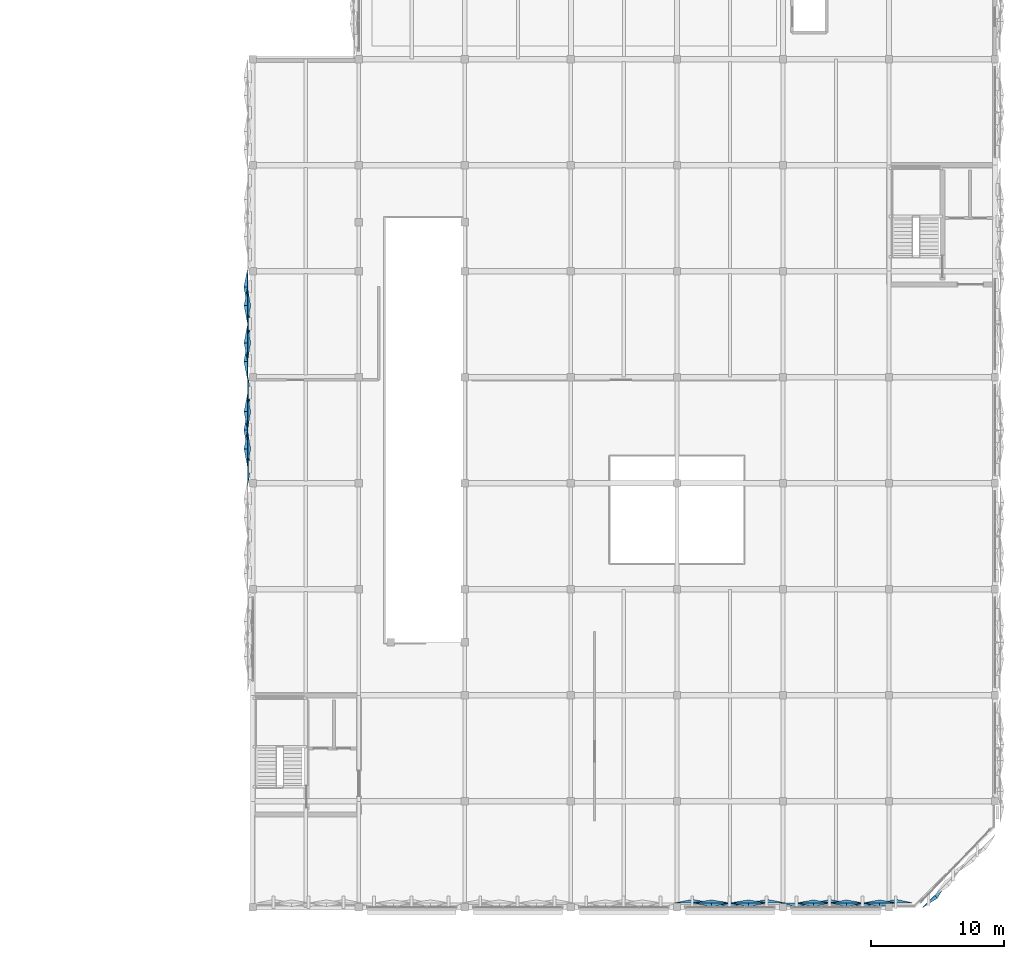
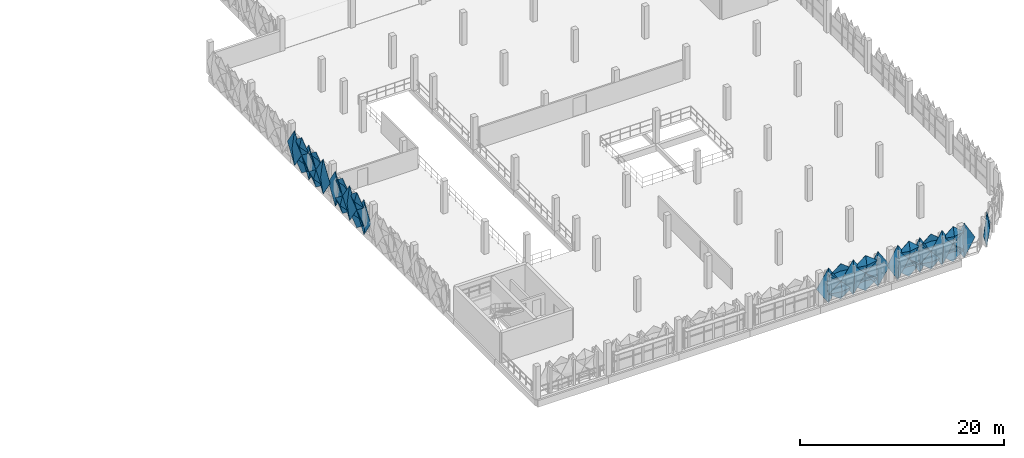
# One storey, part 59 of 83: 32 plates.
"""IFC4 building model written with IfcOpenShell, lengths in metres."""

from ifc_helpers import new_model, si_unit, derived_unit, direction, frame, origin, place, context, subcontext, project, spatial, polygons, material, layer, layer_set, type_object, element, save


model = new_model("IFC4")

# Units and contexts
model_context = context("Model", 3, precision=1e-05, world=origin(), true_north=direction((0.0, 1.0)))
body_context = subcontext(model_context, "Body", "Model", "MODEL_VIEW")
ifc_project = project(units=[si_unit("LENGTHUNIT", "METRE"), si_unit("AREAUNIT", "SQUARE_METRE"), si_unit("VOLUMEUNIT", "CUBIC_METRE"), si_unit("PLANEANGLEUNIT", "RADIAN"), si_unit("MASSUNIT", "GRAM", prefix="KILO"), si_unit("THERMODYNAMICTEMPERATUREUNIT", "KELVIN"), derived_unit("THERMALTRANSMITTANCEUNIT", [(si_unit("POWERUNIT", "WATT"), 1), (si_unit("AREAUNIT", "SQUARE_METRE"), -1), (si_unit("THERMODYNAMICTEMPERATUREUNIT", "KELVIN"), -1)])], contexts=[model_context])

# Site, building, storey
site_placement = place(None, origin())
site = spatial("IfcSite", under=ifc_project, at=site_placement, CompositionType="ELEMENT")
building_placement = place(site_placement, origin())
building = spatial("IfcBuilding", under=site, at=building_placement, Name="Haiyu Intermodal Mobility Hub", CompositionType="ELEMENT")
storey_placement = place(building_placement, frame((0.0, 0.0, 13.39990234375)))
storey = spatial("IfcBuildingStorey", under=building, at=storey_placement, Name="L03", CompositionType="ELEMENT", Elevation=13.39990234375)

# Plates
ifc_material = material(Name="Anodised aluminium 6063-T6", Category="aluminium")
ifc_layer_1 = layer(ifc_material, 0.01806640625)
ifc_layer_set_1 = layer_set([ifc_layer_1], Name="Anodised aluminium 6063-T6")
plate_type_1 = type_object("IfcPlateType", Name="PLT-FC01", PredefinedType="USERDEFINED", material=ifc_layer_set_1)
plate_1_placement = place(storey_placement, origin())
element("IfcPlate", 1, at=plate_1_placement, inside=storey, type_object=plate_type_1, Name="PLT-PYR-1768", ObjectType="FACADE CASSETTE", PredefinedType="USERDEFINED", context=body_context, shape_type="Tessellation", body=[
    polygons([(190.0, 16.320068359375, -0.510009765625), (191.3798828125, 16.320068359375, 1.60009765625), (190.0, 16.320068359375, 3.710205078125), (188.6201171875, 16.320068359375, 1.60009765625), (190.0, 16.0400390625, 1.60009765625), (190.0, 16.342041015625, -0.510009765625), (191.3798828125, 16.342041015625, 1.60009765625), (190.0, 16.342041015625, 3.710205078125), (188.6201171875, 16.342041015625, 1.60009765625), (190.0, 16.06201171875, 1.60009765625)], [[[1, 2, 5]], [[2, 3, 5]], [[3, 4, 5]], [[4, 1, 5]], [[7, 6, 10]], [[8, 7, 10]], [[9, 8, 10]], [[6, 9, 10]], [[1, 6, 7, 2]], [[2, 7, 8, 3]], [[3, 8, 9, 4]], [[4, 9, 6, 1]]], closed=True),
])
plate_2_placement = place(storey_placement, origin())
element("IfcPlate", 2, at=plate_2_placement, inside=storey, type_object=plate_type_1, Name="PLT-PYR-1770", ObjectType="FACADE CASSETTE", PredefinedType="USERDEFINED", context=body_context, shape_type="Tessellation", body=[
    polygons([(191.39990234375, 16.320068359375, 1.6201171875), (192.780029296875, 16.320068359375, 2.670166015625), (191.39990234375, 16.320068359375, 3.72021484375), (190.02001953125, 16.320068359375, 2.670166015625), (191.39990234375, 16.06005859375, 2.670166015625), (191.39990234375, 16.342041015625, 1.6201171875), (192.780029296875, 16.342041015625, 2.670166015625), (191.39990234375, 16.342041015625, 3.72021484375), (190.02001953125, 16.342041015625, 2.670166015625), (191.39990234375, 16.08203125, 2.670166015625)], [[[1, 2, 5]], [[2, 3, 5]], [[3, 4, 5]], [[4, 1, 5]], [[7, 6, 10]], [[8, 7, 10]], [[9, 8, 10]], [[6, 9, 10]], [[1, 6, 7, 2]], [[2, 7, 8, 3]], [[3, 8, 9, 4]], [[4, 9, 6, 1]]], closed=True),
])
plate_3_placement = place(storey_placement, origin())
element("IfcPlate", 3, at=plate_3_placement, inside=storey, type_object=plate_type_1, Name="PLT-PYR-1774", ObjectType="FACADE CASSETTE", PredefinedType="USERDEFINED", context=body_context, shape_type="Tessellation", body=[
    polygons([(196.300048828125, 16.320068359375, 1.6201171875), (197.530029296875, 16.320068359375, 2.670166015625), (196.300048828125, 16.320068359375, 3.72021484375), (195.070068359375, 16.320068359375, 2.670166015625), (196.300048828125, 16.06005859375, 2.670166015625), (196.300048828125, 16.342041015625, 1.6201171875), (197.530029296875, 16.342041015625, 2.670166015625), (196.300048828125, 16.342041015625, 3.72021484375), (195.070068359375, 16.342041015625, 2.670166015625), (196.300048828125, 16.08203125, 2.670166015625)], [[[1, 2, 5]], [[2, 3, 5]], [[3, 4, 5]], [[4, 1, 5]], [[7, 6, 10]], [[8, 7, 10]], [[9, 8, 10]], [[6, 9, 10]], [[1, 6, 7, 2]], [[2, 7, 8, 3]], [[3, 8, 9, 4]], [[4, 9, 6, 1]]], closed=True),
])
plate_4_placement = place(storey_placement, origin())
element("IfcPlate", 4, at=plate_4_placement, inside=storey, type_object=plate_type_1, Name="PLT-PYR-1780", ObjectType="FACADE CASSETTE", PredefinedType="USERDEFINED", context=body_context, shape_type="Tessellation", body=[
    polygons([(201.300048828125, 16.320068359375, 1.6201171875), (202.530029296875, 16.320068359375, 2.670166015625), (201.300048828125, 16.320068359375, 3.72021484375), (200.070068359375, 16.320068359375, 2.670166015625), (201.300048828125, 16.06005859375, 2.670166015625), (201.300048828125, 16.342041015625, 1.6201171875), (202.530029296875, 16.342041015625, 2.670166015625), (201.300048828125, 16.342041015625, 3.72021484375), (200.070068359375, 16.342041015625, 2.670166015625), (201.300048828125, 16.08203125, 2.670166015625)], [[[1, 2, 5]], [[2, 3, 5]], [[3, 4, 5]], [[4, 1, 5]], [[7, 6, 10]], [[8, 7, 10]], [[9, 8, 10]], [[6, 9, 10]], [[1, 6, 7, 2]], [[2, 7, 8, 3]], [[3, 8, 9, 4]], [[4, 9, 6, 1]]], closed=True),
])
plate_5_placement = place(storey_placement, origin())
element("IfcPlate", 5, at=plate_5_placement, inside=storey, type_object=plate_type_1, Name="PLT-PYR-1841", ObjectType="FACADE CASSETTE", PredefinedType="USERDEFINED", context=body_context, shape_type="Tessellation", body=[
    polygons([(153.60009765625, 52.0, -0.510009765625), (153.60009765625, 50.6201171875, 1.60009765625), (153.60009765625, 52.0, 3.710205078125), (153.60009765625, 53.3798828125, 1.60009765625), (153.320068359375, 52.0, 1.60009765625), (153.6220703125, 52.0, -0.510009765625), (153.6220703125, 50.6201171875, 1.60009765625), (153.6220703125, 52.0, 3.710205078125), (153.6220703125, 53.3798828125, 1.60009765625), (153.342041015625, 52.0, 1.60009765625)], [[[1, 2, 5]], [[2, 3, 5]], [[3, 4, 5]], [[4, 1, 5]], [[7, 6, 10]], [[8, 7, 10]], [[9, 8, 10]], [[6, 9, 10]], [[1, 6, 7, 2]], [[2, 7, 8, 3]], [[3, 8, 9, 4]], [[4, 9, 6, 1]]], closed=True),
])
plate_6_placement = place(storey_placement, origin())
element("IfcPlate", 6, at=plate_6_placement, inside=storey, type_object=plate_type_1, Name="PLT-PYR-1843", ObjectType="FACADE CASSETTE", PredefinedType="USERDEFINED", context=body_context, shape_type="Tessellation", body=[
    polygons([(153.60009765625, 50.60009765625, 1.6201171875), (153.60009765625, 49.219970703125, 2.670166015625), (153.60009765625, 50.60009765625, 3.72021484375), (153.60009765625, 51.97998046875, 2.670166015625), (153.340087890625, 50.60009765625, 2.670166015625), (153.6220703125, 50.60009765625, 1.6201171875), (153.6220703125, 49.219970703125, 2.670166015625), (153.6220703125, 50.60009765625, 3.72021484375), (153.6220703125, 51.97998046875, 2.670166015625), (153.362060546875, 50.60009765625, 2.670166015625)], [[[1, 2, 5]], [[2, 3, 5]], [[3, 4, 5]], [[4, 1, 5]], [[7, 6, 10]], [[8, 7, 10]], [[9, 8, 10]], [[6, 9, 10]], [[1, 6, 7, 2]], [[2, 7, 8, 3]], [[3, 8, 9, 4]], [[4, 9, 6, 1]]], closed=True),
])
plate_7_placement = place(storey_placement, origin())
element("IfcPlate", 7, at=plate_7_placement, inside=storey, type_object=plate_type_1, Name="PLT-PYR-1847", ObjectType="FACADE CASSETTE", PredefinedType="USERDEFINED", context=body_context, shape_type="Tessellation", body=[
    polygons([(153.60009765625, 61.39990234375, 1.6201171875), (153.60009765625, 60.02001953125, 2.670166015625), (153.60009765625, 61.39990234375, 3.72021484375), (153.60009765625, 62.780029296875, 2.670166015625), (153.340087890625, 61.39990234375, 2.670166015625), (153.6220703125, 61.39990234375, 1.6201171875), (153.6220703125, 60.02001953125, 2.670166015625), (153.6220703125, 61.39990234375, 3.72021484375), (153.6220703125, 62.780029296875, 2.670166015625), (153.362060546875, 61.39990234375, 2.670166015625)], [[[1, 2, 5]], [[2, 3, 5]], [[3, 4, 5]], [[4, 1, 5]], [[7, 6, 10]], [[8, 7, 10]], [[9, 8, 10]], [[6, 9, 10]], [[1, 6, 7, 2]], [[2, 7, 8, 3]], [[3, 8, 9, 4]], [[4, 9, 6, 1]]], closed=True),
])
ifc_layer_2 = layer(ifc_material, 0.02001953125)
ifc_layer_set_2 = layer_set([ifc_layer_2], Name="Anodised aluminium 6063-T6")
plate_type_2 = type_object("IfcPlateType", Name="PLT-FC02", PredefinedType="USERDEFINED", material=ifc_layer_set_2)
plate_8_placement = place(storey_placement, origin())
element("IfcPlate", 8, at=plate_8_placement, inside=storey, type_object=plate_type_2, Name="PLT-PYR-1767", ObjectType="FACADE CASSETTE", PredefinedType="USERDEFINED", context=body_context, shape_type="Tessellation", body=[
    polygons([(188.60009765625, 16.320068359375, 1.6201171875), (189.97998046875, 16.320068359375, 2.670166015625), (188.60009765625, 16.320068359375, 3.72021484375), (187.219970703125, 16.320068359375, 2.670166015625), (188.60009765625, 16.5400390625, 2.670166015625), (188.60009765625, 16.342041015625, 1.6201171875), (189.97998046875, 16.342041015625, 2.670166015625), (188.60009765625, 16.342041015625, 3.72021484375), (187.219970703125, 16.342041015625, 2.670166015625), (188.60009765625, 16.56201171875, 2.670166015625)], [[[1, 2, 5]], [[2, 3, 5]], [[3, 4, 5]], [[4, 1, 5]], [[7, 6, 10]], [[8, 7, 10]], [[9, 8, 10]], [[6, 9, 10]], [[1, 6, 7, 2]], [[2, 7, 8, 3]], [[3, 8, 9, 4]], [[4, 9, 6, 1]]], closed=True),
])
plate_9_placement = place(storey_placement, origin())
element("IfcPlate", 9, at=plate_9_placement, inside=storey, type_object=plate_type_2, Name="PLT-PYR-1775", ObjectType="FACADE CASSETTE", PredefinedType="USERDEFINED", context=body_context, shape_type="Tessellation", body=[
    polygons([(197.550048828125, 16.320068359375, -0.510009765625), (198.780029296875, 16.320068359375, 1.60009765625), (197.550048828125, 16.320068359375, 3.710205078125), (196.320068359375, 16.320068359375, 1.60009765625), (197.550048828125, 16.580078125, 1.60009765625), (197.550048828125, 16.342041015625, -0.510009765625), (198.780029296875, 16.342041015625, 1.60009765625), (197.550048828125, 16.342041015625, 3.710205078125), (196.320068359375, 16.342041015625, 1.60009765625), (197.550048828125, 16.60205078125, 1.60009765625)], [[[1, 2, 5]], [[2, 3, 5]], [[3, 4, 5]], [[4, 1, 5]], [[7, 6, 10]], [[8, 7, 10]], [[9, 8, 10]], [[6, 9, 10]], [[1, 6, 7, 2]], [[2, 7, 8, 3]], [[3, 8, 9, 4]], [[4, 9, 6, 1]]], closed=True),
])
plate_10_placement = place(storey_placement, origin())
element("IfcPlate", 10, at=plate_10_placement, inside=storey, type_object=plate_type_2, Name="PLT-PYR-1777", ObjectType="FACADE CASSETTE", PredefinedType="USERDEFINED", context=body_context, shape_type="Tessellation", body=[
    polygons([(198.800048828125, 16.320068359375, 1.6201171875), (200.030029296875, 16.320068359375, 2.670166015625), (198.800048828125, 16.320068359375, 3.72021484375), (197.570068359375, 16.320068359375, 2.670166015625), (198.800048828125, 16.5400390625, 2.670166015625), (198.800048828125, 16.342041015625, 1.6201171875), (200.030029296875, 16.342041015625, 2.670166015625), (198.800048828125, 16.342041015625, 3.72021484375), (197.570068359375, 16.342041015625, 2.670166015625), (198.800048828125, 16.56201171875, 2.670166015625)], [[[1, 2, 5]], [[2, 3, 5]], [[3, 4, 5]], [[4, 1, 5]], [[7, 6, 10]], [[8, 7, 10]], [[9, 8, 10]], [[6, 9, 10]], [[1, 6, 7, 2]], [[2, 7, 8, 3]], [[3, 8, 9, 4]], [[4, 9, 6, 1]]], closed=True),
])
plate_11_placement = place(storey_placement, origin())
element("IfcPlate", 11, at=plate_11_placement, inside=storey, type_object=plate_type_2, Name="PLT-PYR-1840", ObjectType="FACADE CASSETTE", PredefinedType="USERDEFINED", context=body_context, shape_type="Tessellation", body=[
    polygons([(153.60009765625, 53.39990234375, 1.6201171875), (153.60009765625, 52.02001953125, 2.670166015625), (153.60009765625, 53.39990234375, 3.72021484375), (153.60009765625, 54.780029296875, 2.670166015625), (153.820068359375, 53.39990234375, 2.670166015625), (153.6220703125, 53.39990234375, 1.6201171875), (153.6220703125, 52.02001953125, 2.670166015625), (153.6220703125, 53.39990234375, 3.72021484375), (153.6220703125, 54.780029296875, 2.670166015625), (153.842041015625, 53.39990234375, 2.670166015625)], [[[1, 2, 5]], [[2, 3, 5]], [[3, 4, 5]], [[4, 1, 5]], [[7, 6, 10]], [[8, 7, 10]], [[9, 8, 10]], [[6, 9, 10]], [[1, 6, 7, 2]], [[2, 7, 8, 3]], [[3, 8, 9, 4]], [[4, 9, 6, 1]]], closed=True),
])
plate_12_placement = place(storey_placement, origin())
element("IfcPlate", 12, at=plate_12_placement, inside=storey, type_object=plate_type_2, Name="PLT-PYR-1848", ObjectType="FACADE CASSETTE", PredefinedType="USERDEFINED", context=body_context, shape_type="Tessellation", body=[
    polygons([(153.60009765625, 60.0, -0.510009765625), (153.60009765625, 58.6201171875, 1.60009765625), (153.60009765625, 60.0, 3.710205078125), (153.60009765625, 61.3798828125, 1.60009765625), (153.860107421875, 60.0, 1.60009765625), (153.6220703125, 60.0, -0.510009765625), (153.6220703125, 58.6201171875, 1.60009765625), (153.6220703125, 60.0, 3.710205078125), (153.6220703125, 61.3798828125, 1.60009765625), (153.882080078125, 60.0, 1.60009765625)], [[[1, 2, 5]], [[2, 3, 5]], [[3, 4, 5]], [[4, 1, 5]], [[7, 6, 10]], [[8, 7, 10]], [[9, 8, 10]], [[6, 9, 10]], [[1, 6, 7, 2]], [[2, 7, 8, 3]], [[3, 8, 9, 4]], [[4, 9, 6, 1]]], closed=True),
])
plate_13_placement = place(storey_placement, origin())
element("IfcPlate", 13, at=plate_13_placement, inside=storey, type_object=plate_type_2, Name="PLT-PYR-1850", ObjectType="FACADE CASSETTE", PredefinedType="USERDEFINED", context=body_context, shape_type="Tessellation", body=[
    polygons([(153.60009765625, 58.60009765625, 1.6201171875), (153.60009765625, 57.219970703125, 2.670166015625), (153.60009765625, 58.60009765625, 3.72021484375), (153.60009765625, 59.97998046875, 2.670166015625), (153.820068359375, 58.60009765625, 2.670166015625), (153.6220703125, 58.60009765625, 1.6201171875), (153.6220703125, 57.219970703125, 2.670166015625), (153.6220703125, 58.60009765625, 3.72021484375), (153.6220703125, 59.97998046875, 2.670166015625), (153.842041015625, 58.60009765625, 2.670166015625)], [[[1, 2, 5]], [[2, 3, 5]], [[3, 4, 5]], [[4, 1, 5]], [[7, 6, 10]], [[8, 7, 10]], [[9, 8, 10]], [[6, 9, 10]], [[1, 6, 7, 2]], [[2, 7, 8, 3]], [[3, 8, 9, 4]], [[4, 9, 6, 1]]], closed=True),
])
ifc_layer_3 = layer(ifc_material, 0.01806640625)
ifc_layer_set_3 = layer_set([ifc_layer_3], Name="Anodised aluminium 6063-T6")
plate_type_3 = type_object("IfcPlateType", Name="PLT-FC03", PredefinedType="USERDEFINED", material=ifc_layer_set_3)
plate_14_placement = place(storey_placement, origin())
element("IfcPlate", 14, at=plate_14_placement, inside=storey, type_object=plate_type_3, Name="PLT-PYR-1778", ObjectType="FACADE CASSETTE", PredefinedType="USERDEFINED", context=body_context, shape_type="Tessellation", body=[
    polygons([(200.050048828125, 16.320068359375, -0.510009765625), (201.280029296875, 16.320068359375, 1.60009765625), (200.050048828125, 16.320068359375, 3.710205078125), (198.820068359375, 16.320068359375, 1.60009765625), (200.050048828125, 16.0400390625, 1.60009765625), (200.050048828125, 16.342041015625, -0.510009765625), (201.280029296875, 16.342041015625, 1.60009765625), (200.050048828125, 16.342041015625, 3.710205078125), (198.820068359375, 16.342041015625, 1.60009765625), (200.050048828125, 16.06201171875, 1.60009765625)], [[[1, 2, 5]], [[2, 3, 5]], [[3, 4, 5]], [[4, 1, 5]], [[7, 6, 10]], [[8, 7, 10]], [[9, 8, 10]], [[6, 9, 10]], [[1, 6, 7, 2]], [[2, 7, 8, 3]], [[3, 8, 9, 4]], [[4, 9, 6, 1]]], closed=True),
])
plate_15_placement = place(storey_placement, origin())
element("IfcPlate", 15, at=plate_15_placement, inside=storey, type_object=plate_type_3, Name="PLT-PYR-1851", ObjectType="FACADE CASSETTE", PredefinedType="USERDEFINED", context=body_context, shape_type="Tessellation", body=[
    polygons([(153.60009765625, 57.199951171875, -0.510009765625), (153.60009765625, 55.820068359375, 1.60009765625), (153.60009765625, 57.199951171875, 3.710205078125), (153.60009765625, 58.580078125, 1.60009765625), (153.320068359375, 57.199951171875, 1.60009765625), (153.6220703125, 57.199951171875, -0.510009765625), (153.6220703125, 55.820068359375, 1.60009765625), (153.6220703125, 57.199951171875, 3.710205078125), (153.6220703125, 58.580078125, 1.60009765625), (153.342041015625, 57.199951171875, 1.60009765625)], [[[1, 2, 5]], [[2, 3, 5]], [[3, 4, 5]], [[4, 1, 5]], [[7, 6, 10]], [[8, 7, 10]], [[9, 8, 10]], [[6, 9, 10]], [[1, 6, 7, 2]], [[2, 7, 8, 3]], [[3, 8, 9, 4]], [[4, 9, 6, 1]]], closed=True),
])
ifc_layer_4 = layer(ifc_material, 0.02001953125)
ifc_layer_set_4 = layer_set([ifc_layer_4], Name="Anodised aluminium 6063-T6")
plate_type_4 = type_object("IfcPlateType", Name="PLT-FC04", PredefinedType="USERDEFINED", material=ifc_layer_set_4)
plate_16_placement = place(storey_placement, origin())
element("IfcPlate", 16, at=plate_16_placement, inside=storey, type_object=plate_type_4, Name="PLT-PYR-1771", ObjectType="FACADE CASSETTE", PredefinedType="USERDEFINED", context=body_context, shape_type="Tessellation", body=[
    polygons([(192.800048828125, 16.320068359375, -0.510009765625), (194.179931640625, 16.320068359375, 1.60009765625), (192.800048828125, 16.320068359375, 3.710205078125), (191.419921875, 16.320068359375, 1.60009765625), (192.800048828125, 16.580078125, 1.60009765625), (192.800048828125, 16.342041015625, -0.510009765625), (194.179931640625, 16.342041015625, 1.60009765625), (192.800048828125, 16.342041015625, 3.710205078125), (191.419921875, 16.342041015625, 1.60009765625), (192.800048828125, 16.60205078125, 1.60009765625)], [[[1, 2, 5]], [[2, 3, 5]], [[3, 4, 5]], [[4, 1, 5]], [[7, 6, 10]], [[8, 7, 10]], [[9, 8, 10]], [[6, 9, 10]], [[1, 6, 7, 2]], [[2, 7, 8, 3]], [[3, 8, 9, 4]], [[4, 9, 6, 1]]], closed=True),
])
plate_17_placement = place(storey_placement, origin())
element("IfcPlate", 17, at=plate_17_placement, inside=storey, type_object=plate_type_4, Name="PLT-PYR-1844", ObjectType="FACADE CASSETTE", PredefinedType="USERDEFINED", context=body_context, shape_type="Tessellation", body=[
    polygons([(153.60009765625, 49.199951171875, -0.510009765625), (153.60009765625, 47.820068359375, 1.60009765625), (153.60009765625, 49.199951171875, 3.710205078125), (153.60009765625, 50.580078125, 1.60009765625), (153.860107421875, 49.199951171875, 1.60009765625), (153.6220703125, 49.199951171875, -0.510009765625), (153.6220703125, 47.820068359375, 1.60009765625), (153.6220703125, 49.199951171875, 3.710205078125), (153.6220703125, 50.580078125, 1.60009765625), (153.882080078125, 49.199951171875, 1.60009765625)], [[[1, 2, 5]], [[2, 3, 5]], [[3, 4, 5]], [[4, 1, 5]], [[7, 6, 10]], [[8, 7, 10]], [[9, 8, 10]], [[6, 9, 10]], [[1, 6, 7, 2]], [[2, 7, 8, 3]], [[3, 8, 9, 4]], [[4, 9, 6, 1]]], closed=True),
])
ifc_layer_5 = layer(ifc_material, 0.02001953125)
ifc_layer_set_5 = layer_set([ifc_layer_5], Name="Anodised aluminium 6063-T6")
plate_type_5 = type_object("IfcPlateType", Name="PLT-FC06", PredefinedType="USERDEFINED", material=ifc_layer_set_5)
plate_18_placement = place(storey_placement, origin())
element("IfcPlate", 18, at=plate_18_placement, inside=storey, type_object=plate_type_5, Name="PLT-PYR-1781", ObjectType="FACADE CASSETTE", PredefinedType="USERDEFINED", context=body_context, shape_type="Tessellation", body=[
    polygons([(202.550048828125, 16.320068359375, -0.510009765625), (203.780029296875, 16.320068359375, 1.60009765625), (202.550048828125, 16.320068359375, 3.710205078125), (201.320068359375, 16.320068359375, 1.60009765625), (202.550048828125, 16.580078125, 1.60009765625), (202.550048828125, 16.342041015625, -0.510009765625), (203.780029296875, 16.342041015625, 1.60009765625), (202.550048828125, 16.342041015625, 3.710205078125), (201.320068359375, 16.342041015625, 1.60009765625), (202.550048828125, 16.60205078125, 1.60009765625)], [[[1, 2, 5]], [[2, 3, 5]], [[3, 4, 5]], [[4, 1, 5]], [[7, 6, 10]], [[8, 7, 10]], [[9, 8, 10]], [[6, 9, 10]], [[1, 6, 7, 2]], [[2, 7, 8, 3]], [[3, 8, 9, 4]], [[4, 9, 6, 1]]], closed=True),
])
ifc_layer_6 = layer(ifc_material, 0.02197265625)
ifc_layer_set_6 = layer_set([ifc_layer_6], Name="Anodised aluminium 6063-T6")
plate_type_6 = type_object("IfcPlateType", Name="PLT-FC07", PredefinedType="USERDEFINED", material=ifc_layer_set_6)
plate_19_placement = place(storey_placement, origin())
element("IfcPlate", 19, at=plate_19_placement, inside=storey, type_object=plate_type_6, Name="PLT-PYR-1472", ObjectType="FACADE CASSETTE", PredefinedType="USERDEFINED", context=body_context, shape_type="Tessellation", body=[
    polygons([(205.449951171875, 16.884033203125, -0.510009765625), (206.35205078125, 17.785888671875, 1.60009765625), (205.449951171875, 16.884033203125, 3.710205078125), (204.547119140625, 15.98095703125, 1.60009765625), (205.64697265625, 16.68603515625, 1.60009765625), (205.43408203125, 16.89892578125, -0.510009765625), (206.3359375, 17.802001953125, 1.60009765625), (205.43408203125, 16.89892578125, 3.710205078125), (204.531005859375, 15.9970703125, 1.60009765625), (205.632080078125, 16.700927734375, 1.60009765625)], [[[1, 2, 5]], [[2, 3, 5]], [[3, 4, 5]], [[4, 1, 5]], [[7, 6, 10]], [[8, 7, 10]], [[9, 8, 10]], [[6, 9, 10]], [[1, 6, 7, 2]], [[2, 7, 8, 3]], [[3, 8, 9, 4]], [[4, 9, 6, 1]]], closed=True),
])
plate_20_placement = place(storey_placement, origin())
element("IfcPlate", 20, at=plate_20_placement, inside=storey, type_object=plate_type_6, Name="PLT-PYR-1766", ObjectType="FACADE CASSETTE", PredefinedType="USERDEFINED", context=body_context, shape_type="Tessellation", body=[
    polygons([(188.60009765625, 16.320068359375, -0.52001953125), (189.97998046875, 16.320068359375, 0.530029296875), (188.60009765625, 16.320068359375, 1.580078125), (187.219970703125, 16.320068359375, 0.530029296875), (188.60009765625, 16.06005859375, 0.530029296875), (188.60009765625, 16.342041015625, -0.52001953125), (189.97998046875, 16.342041015625, 0.530029296875), (188.60009765625, 16.342041015625, 1.580078125), (187.219970703125, 16.342041015625, 0.530029296875), (188.60009765625, 16.08203125, 0.530029296875)], [[[1, 2, 5]], [[2, 3, 5]], [[3, 4, 5]], [[4, 1, 5]], [[7, 6, 10]], [[8, 7, 10]], [[9, 8, 10]], [[6, 9, 10]], [[1, 6, 7, 2]], [[2, 7, 8, 3]], [[3, 8, 9, 4]], [[4, 9, 6, 1]]], closed=True),
])
plate_21_placement = place(storey_placement, origin())
element("IfcPlate", 21, at=plate_21_placement, inside=storey, type_object=plate_type_6, Name="PLT-PYR-1772", ObjectType="FACADE CASSETTE", PredefinedType="USERDEFINED", context=body_context, shape_type="Tessellation", body=[
    polygons([(195.050048828125, 16.320068359375, -0.510009765625), (196.280029296875, 16.320068359375, 1.60009765625), (195.050048828125, 16.320068359375, 3.710205078125), (193.820068359375, 16.320068359375, 1.60009765625), (195.050048828125, 16.0400390625, 1.60009765625), (195.050048828125, 16.342041015625, -0.510009765625), (196.280029296875, 16.342041015625, 1.60009765625), (195.050048828125, 16.342041015625, 3.710205078125), (193.820068359375, 16.342041015625, 1.60009765625), (195.050048828125, 16.06201171875, 1.60009765625)], [[[1, 2, 5]], [[2, 3, 5]], [[3, 4, 5]], [[4, 1, 5]], [[7, 6, 10]], [[8, 7, 10]], [[9, 8, 10]], [[6, 9, 10]], [[1, 6, 7, 2]], [[2, 7, 8, 3]], [[3, 8, 9, 4]], [[4, 9, 6, 1]]], closed=True),
])
plate_22_placement = place(storey_placement, origin())
element("IfcPlate", 22, at=plate_22_placement, inside=storey, type_object=plate_type_6, Name="PLT-PYR-1776", ObjectType="FACADE CASSETTE", PredefinedType="USERDEFINED", context=body_context, shape_type="Tessellation", body=[
    polygons([(198.800048828125, 16.320068359375, -0.52001953125), (200.030029296875, 16.320068359375, 0.530029296875), (198.800048828125, 16.320068359375, 1.580078125), (197.570068359375, 16.320068359375, 0.530029296875), (198.800048828125, 16.06005859375, 0.530029296875), (198.800048828125, 16.342041015625, -0.52001953125), (200.030029296875, 16.342041015625, 0.530029296875), (198.800048828125, 16.342041015625, 1.580078125), (197.570068359375, 16.342041015625, 0.530029296875), (198.800048828125, 16.08203125, 0.530029296875)], [[[1, 2, 5]], [[2, 3, 5]], [[3, 4, 5]], [[4, 1, 5]], [[7, 6, 10]], [[8, 7, 10]], [[9, 8, 10]], [[6, 9, 10]], [[1, 6, 7, 2]], [[2, 7, 8, 3]], [[3, 8, 9, 4]], [[4, 9, 6, 1]]], closed=True),
])
plate_23_placement = place(storey_placement, origin())
element("IfcPlate", 23, at=plate_23_placement, inside=storey, type_object=plate_type_6, Name="PLT-PYR-1839", ObjectType="FACADE CASSETTE", PredefinedType="USERDEFINED", context=body_context, shape_type="Tessellation", body=[
    polygons([(153.60009765625, 53.39990234375, -0.52001953125), (153.60009765625, 52.02001953125, 0.530029296875), (153.60009765625, 53.39990234375, 1.580078125), (153.60009765625, 54.780029296875, 0.530029296875), (153.340087890625, 53.39990234375, 0.530029296875), (153.6220703125, 53.39990234375, -0.52001953125), (153.6220703125, 52.02001953125, 0.530029296875), (153.6220703125, 53.39990234375, 1.580078125), (153.6220703125, 54.780029296875, 0.530029296875), (153.362060546875, 53.39990234375, 0.530029296875)], [[[1, 2, 5]], [[2, 3, 5]], [[3, 4, 5]], [[4, 1, 5]], [[7, 6, 10]], [[8, 7, 10]], [[9, 8, 10]], [[6, 9, 10]], [[1, 6, 7, 2]], [[2, 7, 8, 3]], [[3, 8, 9, 4]], [[4, 9, 6, 1]]], closed=True),
])
plate_24_placement = place(storey_placement, origin())
element("IfcPlate", 24, at=plate_24_placement, inside=storey, type_object=plate_type_6, Name="PLT-PYR-1845", ObjectType="FACADE CASSETTE", PredefinedType="USERDEFINED", context=body_context, shape_type="Tessellation", body=[
    polygons([(153.60009765625, 62.800048828125, -0.510009765625), (153.60009765625, 61.419921875, 1.60009765625), (153.60009765625, 62.800048828125, 3.710205078125), (153.60009765625, 64.179931640625, 1.60009765625), (153.320068359375, 62.800048828125, 1.60009765625), (153.6220703125, 62.800048828125, -0.510009765625), (153.6220703125, 61.419921875, 1.60009765625), (153.6220703125, 62.800048828125, 3.710205078125), (153.6220703125, 64.179931640625, 1.60009765625), (153.342041015625, 62.800048828125, 1.60009765625)], [[[1, 2, 5]], [[2, 3, 5]], [[3, 4, 5]], [[4, 1, 5]], [[7, 6, 10]], [[8, 7, 10]], [[9, 8, 10]], [[6, 9, 10]], [[1, 6, 7, 2]], [[2, 7, 8, 3]], [[3, 8, 9, 4]], [[4, 9, 6, 1]]], closed=True),
])
plate_25_placement = place(storey_placement, origin())
element("IfcPlate", 25, at=plate_25_placement, inside=storey, type_object=plate_type_6, Name="PLT-PYR-1849", ObjectType="FACADE CASSETTE", PredefinedType="USERDEFINED", context=body_context, shape_type="Tessellation", body=[
    polygons([(153.60009765625, 58.60009765625, -0.52001953125), (153.60009765625, 57.219970703125, 0.530029296875), (153.60009765625, 58.60009765625, 1.580078125), (153.60009765625, 59.97998046875, 0.530029296875), (153.340087890625, 58.60009765625, 0.530029296875), (153.6220703125, 58.60009765625, -0.52001953125), (153.6220703125, 57.219970703125, 0.530029296875), (153.6220703125, 58.60009765625, 1.580078125), (153.6220703125, 59.97998046875, 0.530029296875), (153.362060546875, 58.60009765625, 0.530029296875)], [[[1, 2, 5]], [[2, 3, 5]], [[3, 4, 5]], [[4, 1, 5]], [[7, 6, 10]], [[8, 7, 10]], [[9, 8, 10]], [[6, 9, 10]], [[1, 6, 7, 2]], [[2, 7, 8, 3]], [[3, 8, 9, 4]], [[4, 9, 6, 1]]], closed=True),
])
ifc_layer_7 = layer(ifc_material, 0.02392578125)
ifc_layer_set_7 = layer_set([ifc_layer_7], Name="Anodised aluminium 6063-T6")
plate_type_7 = type_object("IfcPlateType", Name="PLT-FC08", PredefinedType="USERDEFINED", material=ifc_layer_set_7)
plate_26_placement = place(storey_placement, origin())
element("IfcPlate", 26, at=plate_26_placement, inside=storey, type_object=plate_type_7, Name="PLT-PYR-1765", ObjectType="FACADE CASSETTE", PredefinedType="USERDEFINED", context=body_context, shape_type="Tessellation", body=[
    polygons([(187.199951171875, 16.320068359375, -0.510009765625), (188.580078125, 16.320068359375, 1.60009765625), (187.199951171875, 16.320068359375, 3.710205078125), (185.820068359375, 16.320068359375, 1.60009765625), (187.199951171875, 16.580078125, 1.60009765625), (187.199951171875, 16.342041015625, -0.510009765625), (188.580078125, 16.342041015625, 1.60009765625), (187.199951171875, 16.342041015625, 3.710205078125), (185.820068359375, 16.342041015625, 1.60009765625), (187.199951171875, 16.60205078125, 1.60009765625)], [[[1, 2, 5]], [[2, 3, 5]], [[3, 4, 5]], [[4, 1, 5]], [[7, 6, 10]], [[8, 7, 10]], [[9, 8, 10]], [[6, 9, 10]], [[1, 6, 7, 2]], [[2, 7, 8, 3]], [[3, 8, 9, 4]], [[4, 9, 6, 1]]], closed=True),
])
plate_27_placement = place(storey_placement, origin())
element("IfcPlate", 27, at=plate_27_placement, inside=storey, type_object=plate_type_7, Name="PLT-PYR-1769", ObjectType="FACADE CASSETTE", PredefinedType="USERDEFINED", context=body_context, shape_type="Tessellation", body=[
    polygons([(191.39990234375, 16.320068359375, -0.52001953125), (192.780029296875, 16.320068359375, 0.530029296875), (191.39990234375, 16.320068359375, 1.580078125), (190.02001953125, 16.320068359375, 0.530029296875), (191.39990234375, 16.5400390625, 0.530029296875), (191.39990234375, 16.342041015625, -0.52001953125), (192.780029296875, 16.342041015625, 0.530029296875), (191.39990234375, 16.342041015625, 1.580078125), (190.02001953125, 16.342041015625, 0.530029296875), (191.39990234375, 16.56201171875, 0.530029296875)], [[[1, 2, 5]], [[2, 3, 5]], [[3, 4, 5]], [[4, 1, 5]], [[7, 6, 10]], [[8, 7, 10]], [[9, 8, 10]], [[6, 9, 10]], [[1, 6, 7, 2]], [[2, 7, 8, 3]], [[3, 8, 9, 4]], [[4, 9, 6, 1]]], closed=True),
])
plate_28_placement = place(storey_placement, origin())
element("IfcPlate", 28, at=plate_28_placement, inside=storey, type_object=plate_type_7, Name="PLT-PYR-1773", ObjectType="FACADE CASSETTE", PredefinedType="USERDEFINED", context=body_context, shape_type="Tessellation", body=[
    polygons([(196.300048828125, 16.320068359375, -0.52001953125), (197.530029296875, 16.320068359375, 0.530029296875), (196.300048828125, 16.320068359375, 1.580078125), (195.070068359375, 16.320068359375, 0.530029296875), (196.300048828125, 16.5400390625, 0.530029296875), (196.300048828125, 16.342041015625, -0.52001953125), (197.530029296875, 16.342041015625, 0.530029296875), (196.300048828125, 16.342041015625, 1.580078125), (195.070068359375, 16.342041015625, 0.530029296875), (196.300048828125, 16.56201171875, 0.530029296875)], [[[1, 2, 5]], [[2, 3, 5]], [[3, 4, 5]], [[4, 1, 5]], [[7, 6, 10]], [[8, 7, 10]], [[9, 8, 10]], [[6, 9, 10]], [[1, 6, 7, 2]], [[2, 7, 8, 3]], [[3, 8, 9, 4]], [[4, 9, 6, 1]]], closed=True),
])
plate_29_placement = place(storey_placement, origin())
element("IfcPlate", 29, at=plate_29_placement, inside=storey, type_object=plate_type_7, Name="PLT-PYR-1779", ObjectType="FACADE CASSETTE", PredefinedType="USERDEFINED", context=body_context, shape_type="Tessellation", body=[
    polygons([(201.300048828125, 16.320068359375, -0.52001953125), (202.530029296875, 16.320068359375, 0.530029296875), (201.300048828125, 16.320068359375, 1.580078125), (200.070068359375, 16.320068359375, 0.530029296875), (201.300048828125, 16.5400390625, 0.530029296875), (201.300048828125, 16.342041015625, -0.52001953125), (202.530029296875, 16.342041015625, 0.530029296875), (201.300048828125, 16.342041015625, 1.580078125), (200.070068359375, 16.342041015625, 0.530029296875), (201.300048828125, 16.56201171875, 0.530029296875)], [[[1, 2, 5]], [[2, 3, 5]], [[3, 4, 5]], [[4, 1, 5]], [[7, 6, 10]], [[8, 7, 10]], [[9, 8, 10]], [[6, 9, 10]], [[1, 6, 7, 2]], [[2, 7, 8, 3]], [[3, 8, 9, 4]], [[4, 9, 6, 1]]], closed=True),
])
plate_30_placement = place(storey_placement, origin())
element("IfcPlate", 30, at=plate_30_placement, inside=storey, type_object=plate_type_7, Name="PLT-PYR-1838", ObjectType="FACADE CASSETTE", PredefinedType="USERDEFINED", context=body_context, shape_type="Tessellation", body=[
    polygons([(153.60009765625, 54.800048828125, -0.510009765625), (153.60009765625, 53.419921875, 1.60009765625), (153.60009765625, 54.800048828125, 3.710205078125), (153.60009765625, 56.179931640625, 1.60009765625), (153.860107421875, 54.800048828125, 1.60009765625), (153.6220703125, 54.800048828125, -0.510009765625), (153.6220703125, 53.419921875, 1.60009765625), (153.6220703125, 54.800048828125, 3.710205078125), (153.6220703125, 56.179931640625, 1.60009765625), (153.882080078125, 54.800048828125, 1.60009765625)], [[[1, 2, 5]], [[2, 3, 5]], [[3, 4, 5]], [[4, 1, 5]], [[7, 6, 10]], [[8, 7, 10]], [[9, 8, 10]], [[6, 9, 10]], [[1, 6, 7, 2]], [[2, 7, 8, 3]], [[3, 8, 9, 4]], [[4, 9, 6, 1]]], closed=True),
])
plate_31_placement = place(storey_placement, origin())
element("IfcPlate", 31, at=plate_31_placement, inside=storey, type_object=plate_type_7, Name="PLT-PYR-1842", ObjectType="FACADE CASSETTE", PredefinedType="USERDEFINED", context=body_context, shape_type="Tessellation", body=[
    polygons([(153.60009765625, 50.60009765625, -0.52001953125), (153.60009765625, 49.219970703125, 0.530029296875), (153.60009765625, 50.60009765625, 1.580078125), (153.60009765625, 51.97998046875, 0.530029296875), (153.820068359375, 50.60009765625, 0.530029296875), (153.6220703125, 50.60009765625, -0.52001953125), (153.6220703125, 49.219970703125, 0.530029296875), (153.6220703125, 50.60009765625, 1.580078125), (153.6220703125, 51.97998046875, 0.530029296875), (153.842041015625, 50.60009765625, 0.530029296875)], [[[1, 2, 5]], [[2, 3, 5]], [[3, 4, 5]], [[4, 1, 5]], [[7, 6, 10]], [[8, 7, 10]], [[9, 8, 10]], [[6, 9, 10]], [[1, 6, 7, 2]], [[2, 7, 8, 3]], [[3, 8, 9, 4]], [[4, 9, 6, 1]]], closed=True),
])
plate_32_placement = place(storey_placement, origin())
element("IfcPlate", 32, at=plate_32_placement, inside=storey, type_object=plate_type_7, Name="PLT-PYR-1846", ObjectType="FACADE CASSETTE", PredefinedType="USERDEFINED", context=body_context, shape_type="Tessellation", body=[
    polygons([(153.60009765625, 61.39990234375, -0.52001953125), (153.60009765625, 60.02001953125, 0.530029296875), (153.60009765625, 61.39990234375, 1.580078125), (153.60009765625, 62.780029296875, 0.530029296875), (153.820068359375, 61.39990234375, 0.530029296875), (153.6220703125, 61.39990234375, -0.52001953125), (153.6220703125, 60.02001953125, 0.530029296875), (153.6220703125, 61.39990234375, 1.580078125), (153.6220703125, 62.780029296875, 0.530029296875), (153.842041015625, 61.39990234375, 0.530029296875)], [[[1, 2, 5]], [[2, 3, 5]], [[3, 4, 5]], [[4, 1, 5]], [[7, 6, 10]], [[8, 7, 10]], [[9, 8, 10]], [[6, 9, 10]], [[1, 6, 7, 2]], [[2, 7, 8, 3]], [[3, 8, 9, 4]], [[4, 9, 6, 1]]], closed=True),
])

save(model, "model.ifc")
